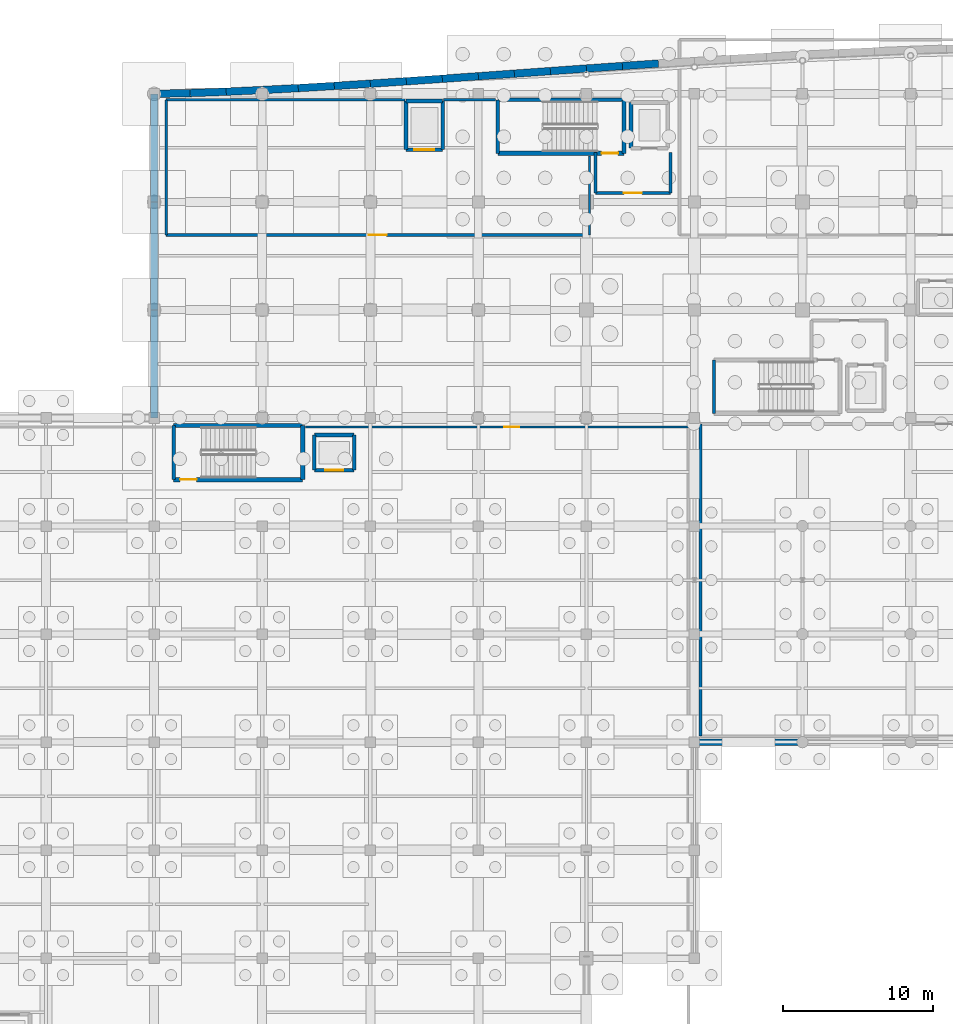
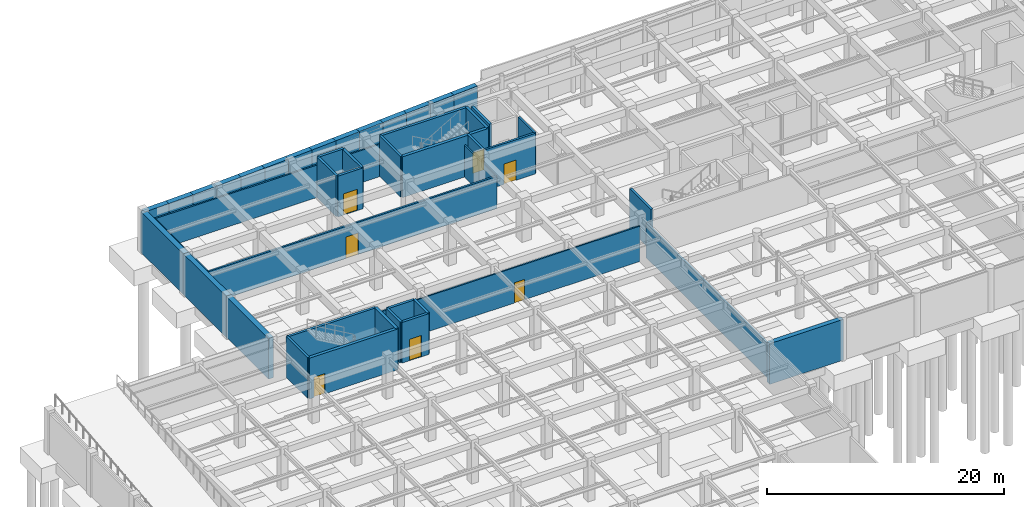
# One storey, part 36 of 48: 46 walls, 7 doors, 7 openings.
"""IFC4 building model written with IfcOpenShell, lengths in metres."""

from ifc_helpers import new_model, si_unit, direction, frame, frame_2d, origin, place, context, subcontext, project, spatial, rectangle, extrude, material, layer, layer_set, type_object, element, fill, save


model = new_model("IFC4")

# Units and contexts
model_context = context("Model", 3, precision=1e-05, world=origin(), true_north=direction((0.0, 1.0)))
body_context = subcontext(model_context, "Body", "Model", "MODEL_VIEW")
ifc_project = project(units=[si_unit("LENGTHUNIT", "METRE"), si_unit("AREAUNIT", "SQUARE_METRE"), si_unit("VOLUMEUNIT", "CUBIC_METRE"), si_unit("PLANEANGLEUNIT", "RADIAN"), si_unit("MASSUNIT", "GRAM", prefix="KILO")], contexts=[model_context])

# Site, building, storey
site_placement = place(None, origin())
site = spatial("IfcSite", under=ifc_project, at=site_placement, CompositionType="ELEMENT")
building_placement = place(site_placement, origin())
building = spatial("IfcBuilding", under=site, at=building_placement, Name="Carrowvane Square Congress Hotel", CompositionType="ELEMENT")
storey_placement = place(building_placement, frame((0.0, 0.0, -4.5)))
storey = spatial("IfcBuildingStorey", under=building, at=storey_placement, Name="B01", CompositionType="ELEMENT", Elevation=-4.5)

# Walls
ifc_material_1 = material(Name="Acoustic gypsum board", Category="gypsum")
ifc_layer_1 = layer(ifc_material_1, 0.155029296875)
ifc_layer_set_1 = layer_set([ifc_layer_1], Name="Acoustic gypsum board")
wall_type_1 = type_object("IfcWallType", Name="WL-FIR-155", PredefinedType="PARTITIONING", material=ifc_layer_set_1)
wall_1_placement = place(storey_placement, frame((34.0, 113.0, 0.0), z_axis=(0.0, 0.0, 1.0), x_axis=(1.0, 0.0, 0.0)))
element("IfcWall", 1, at=wall_1_placement, inside=storey, type_object=wall_type_1, Name="B01 Staff Changing and Locker Suite partition", PredefinedType="PARTITIONING", context=body_context, shape_type="SweptSolid", body=[
    extrude(rectangle(XDim=15.919189453125, YDim=0.155029296875, at=frame_2d((7.95947265625, 0.0))), origin(), (0.0, 0.0, 1.0), 3.3349609375),
])
ifc_material_2 = material(Name="Acoustic gypsum board", Category="gypsum")
ifc_layer_2 = layer(ifc_material_2, 0.169921875)
ifc_layer_set_2 = layer_set([ifc_layer_2], Name="Acoustic gypsum board")
wall_type_2 = type_object("IfcWallType", Name="WL-FIR-170", PredefinedType="PARTITIONING", material=ifc_layer_set_2)
wall_2_placement = place(storey_placement, frame((34.0, 104.0, 0.0), z_axis=(0.0, 0.0, 1.0), x_axis=(0.0, 1.0, 0.0)))
element("IfcWall", 2, at=wall_2_placement, inside=storey, type_object=wall_type_2, Name="B01 Staff Changing and Locker Suite partition", PredefinedType="PARTITIONING", context=body_context, shape_type="SweptSolid", body=[
    extrude(rectangle(XDim=9.0, YDim=0.169921875, at=frame_2d((4.5, 0.0))), origin(), (0.0, 0.0, 1.0), 3.43505859375),
])
ifc_material_3 = material(Name="Acoustic gypsum board", Category="gypsum")
ifc_layer_3 = layer(ifc_material_3, 0.18505859375)
ifc_layer_set_3 = layer_set([ifc_layer_3], Name="Acoustic gypsum board")
wall_type_3 = type_object("IfcWallType", Name="WL-FIR-185", PredefinedType="PARTITIONING", material=ifc_layer_set_3)
wall_3_placement = place(storey_placement, frame((69.60009765625, 70.60009765625, 0.0), z_axis=(0.0, 0.0, 1.0), x_axis=(0.0, 1.0, 0.0)))
element("IfcWall", 3, at=wall_3_placement, inside=storey, type_object=wall_type_3, Name="B01 Secure Delegate and Staff Cycle Store partition", PredefinedType="PARTITIONING", context=body_context, shape_type="SweptSolid", body=[
    extrude(rectangle(XDim=20.7998046875, YDim=0.18505859375, at=frame_2d((10.39990234375, 0.0))), origin(), (0.0, 0.0, 1.0), 3.534912109375),
])

# Wall, opening, door
wall_4_placement = place(storey_placement, frame((62.199951171875, 104.0, 0.0), z_axis=(0.0, 0.0, 1.0), x_axis=(-1.0, 0.0, 0.0)))
wall_4 = element("IfcWall", 4, at=wall_4_placement, inside=storey, type_object=wall_type_3, Name="B01 Staff Changing and Locker Suite partition", PredefinedType="PARTITIONING", context=body_context, shape_type="SweptSolid", body=[
    extrude(rectangle(XDim=28.199951171875, YDim=0.18505859375, at=frame_2d((14.10009765625, 0.0))), origin(), (0.0, 0.0, 1.0), 3.3349609375),
])
opening_1_placement = place(wall_4_placement, frame((13.510009765625, 0.0, 0.0)))
opening_1 = element("IfcOpeningElement", 5, at=opening_1_placement, cuts=wall_4, Name="Opening ID-23", PredefinedType="OPENING", context=body_context, shape_type="SweptSolid", body=[
    extrude(rectangle(XDim=1.179931640625, YDim=2.219970703125, at=frame_2d((0.58984375, 1.10986328125))), frame((0.0, 0.1025390625, 0.0), z_axis=(0.0, -1.0, 0.0), x_axis=(1.0, 0.0, 0.0)), (0.0, 0.0, 1.0), 0.205078125),
])
ifc_material_4 = material(Name="European oak timber", Category="wood")
door_type_1 = type_object("IfcDoorType", Name="DR-INT-1180x2220", OperationType="NOTDEFINED", PredefinedType="DOOR", material=ifc_material_4)
door_1_placement = place(opening_1_placement, origin())
door_1 = element("IfcDoor", 6, at=door_1_placement, inside=storey, type_object=door_type_1, Name="B01 Staff Changing and Locker Suite entrance door", OperationType="SINGLE_SWING_LEFT", OverallHeight=2.219970703125, OverallWidth=1.179931640625, PredefinedType="DOOR", context=body_context, shape_type="SweptSolid", body=[
    extrude(rectangle(XDim=1.179931640625, YDim=2.219970703125, at=frame_2d((0.58984375, 1.10986328125))), frame((0.0, 0.02490234375, 0.0), z_axis=(0.0, -1.0, 0.0), x_axis=(1.0, 0.0, 0.0)), (0.0, 0.0, 1.0), 0.050048828125),
])
fill(opening_1, door_1)

ifc_material_5 = material(Name="Acoustic gypsum board", Category="gypsum")
ifc_layer_4 = layer(ifc_material_5, 0.205078125)
ifc_layer_set_4 = layer_set([ifc_layer_4], Name="Acoustic gypsum board")
wall_type_4 = type_object("IfcWallType", Name="WL-FIR-205", PredefinedType="PARTITIONING", material=ifc_layer_set_4)
wall_5_placement = place(storey_placement, frame((62.60009765625, 106.800048828125, 0.0), z_axis=(0.0, 0.0, 1.0), x_axis=(1.0, 0.0, 0.0)))
wall_5 = element("IfcWall", 7, at=wall_5_placement, inside=storey, type_object=wall_type_4, Name="B01 Firefighting Lobby C1 wall south", PredefinedType="PARTITIONING", context=body_context, shape_type="SweptSolid", body=[
    extrude(rectangle(XDim=5.0, YDim=0.205078125, at=frame_2d((2.5, 0.0))), origin(), (0.0, 0.0, 1.0), 4.199951171875),
])
opening_2_placement = place(wall_5_placement, frame((1.89990234375, 0.0, 0.0)))
opening_2 = element("IfcOpeningElement", 8, at=opening_2_placement, cuts=wall_5, Name="Opening FD-02", PredefinedType="OPENING", context=body_context, shape_type="SweptSolid", body=[
    extrude(rectangle(XDim=1.199951171875, YDim=2.10009765625, at=frame_2d((0.60009765625, 1.050048828125))), frame((0.0, 0.112548828125, 0.0), z_axis=(0.0, -1.0, 0.0), x_axis=(1.0, 0.0, 0.0)), (0.0, 0.0, 1.0), 0.22509765625),
])
ifc_material_6 = material(Name="European oak timber", Category="wood")
door_type_2 = type_object("IfcDoorType", Name="DR-FD60-1200x2100", OperationType="NOTDEFINED", PredefinedType="DOOR", material=ifc_material_6)
door_2_placement = place(opening_2_placement, origin())
door_2 = element("IfcDoor", 9, at=door_2_placement, inside=storey, type_object=door_type_2, Name="B01 Firefighting Lobby C1 entrance door", OperationType="SINGLE_SWING_RIGHT", OverallHeight=2.10009765625, OverallWidth=1.199951171875, PredefinedType="DOOR", context=body_context, shape_type="SweptSolid", body=[
    extrude(rectangle(XDim=1.199951171875, YDim=2.10009765625, at=frame_2d((0.60009765625, 1.050048828125))), frame((0.0, 0.02490234375, 0.0), z_axis=(0.0, -1.0, 0.0), x_axis=(1.0, 0.0, 0.0)), (0.0, 0.0, 1.0), 0.050048828125),
])
fill(opening_2, door_2)

# Walls
for number, where, z_axis, x_axis, name in (
    (10, (67.60009765625, 106.800048828125, 0.0), (0.0, 0.0, 1.0), (0.0, 1.0, 0.0), "B01 Firefighting Lobby C1 wall east"),
    (11, (62.60009765625, 109.5, 0.0), (0.0, 0.0, 1.0), (0.0, -1.0, 0.0), "B01 Firefighting Lobby C1 wall west"),
):
    element("IfcWall", number, at=place(storey_placement, frame(where, z_axis=z_axis, x_axis=x_axis)), inside=storey, type_object=wall_type_4, Name=name, PredefinedType="PARTITIONING", context=body_context, shape_type="SweptSolid", body=[
        extrude(rectangle(XDim=2.699951171875, YDim=0.205078125, at=frame_2d((1.35009765625, 0.0))), origin(), (0.0, 0.0, 1.0), 4.199951171875),
    ])

# Wall, opening, door
ifc_material_7 = material(Name="Acoustic gypsum board", Category="gypsum")
ifc_layer_5 = layer(ifc_material_7, 0.137939453125)
ifc_layer_set_5 = layer_set([ifc_layer_5], Name="Acoustic gypsum board")
wall_type_5 = type_object("IfcWallType", Name="WL-PRT-138", PredefinedType="PARTITIONING", material=ifc_layer_set_5)
wall_6_placement = place(storey_placement, frame((43.27001953125, 91.199951171875, 0.0), z_axis=(0.0, 0.0, 1.0), x_axis=(1.0, 0.0, 0.0)))
wall_6 = element("IfcWall", 12, at=wall_6_placement, inside=storey, type_object=wall_type_5, Name="B01 Underground Car Park Loop and Bays partition", PredefinedType="PARTITIONING", context=body_context, shape_type="SweptSolid", body=[
    extrude(rectangle(XDim=25.530029296875, YDim=0.137939453125, at=frame_2d((12.76513671875, 0.0))), origin(), (0.0, 0.0, 1.0), 3.648193359375),
])
opening_3_placement = place(wall_6_placement, frame((13.264892578125, 0.0, 0.0)))
opening_3 = element("IfcOpeningElement", 13, at=opening_3_placement, cuts=wall_6, Name="Opening ID-06", PredefinedType="OPENING", context=body_context, shape_type="SweptSolid", body=[
    extrude(rectangle(XDim=1.0, YDim=2.10009765625, at=frame_2d((0.5, 1.050048828125))), frame((0.0, 0.078857421875, 0.0), z_axis=(0.0, -1.0, 0.0), x_axis=(1.0, 0.0, 0.0)), (0.0, 0.0, 1.0), 0.157958984375),
])
ifc_material_8 = material(Name="European oak timber", Category="wood")
door_type_3 = type_object("IfcDoorType", Name="DR-INT-1000x2100", OperationType="NOTDEFINED", PredefinedType="DOOR", material=ifc_material_8)
door_3_placement = place(opening_3_placement, origin())
door_3 = element("IfcDoor", 14, at=door_3_placement, inside=storey, type_object=door_type_3, Name="B01 Underground Car Park Loop and Bays entrance door", OperationType="SINGLE_SWING_RIGHT", OverallHeight=2.10009765625, OverallWidth=1.0, PredefinedType="DOOR", context=body_context, shape_type="SweptSolid", body=[
    extrude(rectangle(XDim=1.0, YDim=2.10009765625, at=frame_2d((0.5, 1.050048828125))), frame((0.0, 0.02490234375, 0.0), z_axis=(0.0, -1.0, 0.0), x_axis=(1.0, 0.0, 0.0)), (0.0, 0.0, 1.0), 0.050048828125),
])
fill(opening_3, door_3)

# Walls
wall_7_placement = place(storey_placement, frame((62.199951171875, 109.27001953125, 0.0), z_axis=(0.0, 0.0, 1.0), x_axis=(0.0, -1.0, 0.0)))
element("IfcWall", 15, at=wall_7_placement, inside=storey, type_object=wall_type_5, Name="B01 Staff Changing and Locker Suite partition", PredefinedType="PARTITIONING", context=body_context, shape_type="SweptSolid", body=[
    extrude(rectangle(XDim=5.27001953125, YDim=0.137939453125, at=frame_2d((2.635009765625, 0.0))), origin(), (0.0, 0.0, 1.0), 3.3349609375),
])
ifc_material_9 = material(Name="Acoustic gypsum board", Category="gypsum")
ifc_layer_6 = layer(ifc_material_9, 0.14794921875)
ifc_layer_set_6 = layer_set([ifc_layer_6], Name="Acoustic gypsum board")
wall_type_6 = type_object("IfcWallType", Name="WL-PRT-148", PredefinedType="PARTITIONING", material=ifc_layer_set_6)
wall_8_placement = place(storey_placement, frame((52.48095703125, 113.0, 0.0), z_axis=(0.0, 0.0, 1.0), x_axis=(1.0, 0.0, 0.0)))
element("IfcWall", 16, at=wall_8_placement, inside=storey, type_object=wall_type_6, Name="B01 Staff Changing and Locker Suite partition", PredefinedType="PARTITIONING", context=body_context, shape_type="SweptSolid", body=[
    extrude(rectangle(XDim=3.468505859375, YDim=0.14794921875, at=frame_2d((1.734375, 0.0))), origin(), (0.0, 0.0, 1.0), 3.3349609375),
])
ifc_material_10 = material(Name="Concrete C35/45", Category="concrete")
ifc_layer_7 = layer(ifc_material_10, 0.449951171875)
ifc_layer_set_7 = layer_set([ifc_layer_7], Name="Concrete C35/45")
wall_type_7 = type_object("IfcWallType", Name="WL-RET-450", PredefinedType="SOLIDWALL", material=ifc_layer_set_7)
wall_9_placement = place(storey_placement, frame((76.39990234375, 70.199951171875, 0.0), z_axis=(0.0, 0.0, 1.0), x_axis=(-1.0, 0.0, 0.0)))
element("IfcWall", 17, at=wall_9_placement, inside=storey, type_object=wall_type_7, Name="B01 perimeter retaining wall 115", PredefinedType="SOLIDWALL", context=body_context, shape_type="SweptSolid", body=[
    extrude(rectangle(XDim=7.199951171875, YDim=0.449951171875, at=frame_2d((3.60009765625, 0.0))), origin(), (0.0, 0.0, 1.0), 4.199951171875),
])
ifc_material_11 = material(Name="Concrete C35/45", Category="concrete")
ifc_layer_8 = layer(ifc_material_11, 0.5)
ifc_layer_set_8 = layer_set([ifc_layer_8], Name="Concrete C35/45")
wall_type_8 = type_object("IfcWallType", Name="WL-RET-500", PredefinedType="SOLIDWALL", material=ifc_layer_set_8)
for number, where, z_axis, x_axis, name in (
    (18, (33.199951171875, 91.800048828125, 0.0), (0.0, 0.0, 1.0), (0.0, 1.0, 0.0), "B01 perimeter retaining wall 16"),
    (19, (33.199951171875, 99.0, 0.0), (0.0, 0.0, 1.0), (0.0, 1.0, 0.0), "B01 perimeter retaining wall 17"),
    (20, (33.199951171875, 106.199951171875, 0.0), (0.0, 0.0, 1.0), (0.0, 1.0, 0.0), "B01 perimeter retaining wall 18"),
):
    element("IfcWall", number, at=place(storey_placement, frame(where, z_axis=z_axis, x_axis=x_axis)), inside=storey, type_object=wall_type_8, Name=name, PredefinedType="SOLIDWALL", context=body_context, shape_type="SweptSolid", body=[
        extrude(rectangle(XDim=7.199951171875, YDim=0.5, at=frame_2d((3.60009765625, 0.0))), origin(), (0.0, 0.0, 1.0), 4.199951171875),
    ])
wall_10_placement = place(storey_placement, frame((33.199951171875, 113.39990234375, 0.0), z_axis=(0.0, 0.0, 1.0), x_axis=(0.999767568547, 0.021559426766, 0.0)))
element("IfcWall", 21, at=wall_10_placement, inside=storey, type_object=wall_type_8, Name="B01 perimeter retaining wall 19", PredefinedType="SOLIDWALL", context=body_context, shape_type="SweptSolid", body=[
    extrude(rectangle(XDim=2.400634765625, YDim=0.5, at=frame_2d((1.2001953125, 0.0))), origin(), (0.0, 0.0, 1.0), 4.199951171875),
])
wall_11_placement = place(storey_placement, frame((35.60009765625, 113.45166015625, 0.0), z_axis=(0.0, 0.0, 1.0), x_axis=(0.99930757318, 0.037207179225, 0.0)))
element("IfcWall", 22, at=wall_11_placement, inside=storey, type_object=wall_type_8, Name="B01 perimeter retaining wall 20", PredefinedType="SOLIDWALL", context=body_context, shape_type="SweptSolid", body=[
    extrude(rectangle(XDim=2.401611328125, YDim=0.5, at=frame_2d((1.20068359375, 0.0))), origin(), (0.0, 0.0, 1.0), 4.199951171875),
])
wall_12_placement = place(storey_placement, frame((38.0, 113.541015625, 0.0), z_axis=(0.0, 0.0, 1.0), x_axis=(0.998916353717, 0.046541575789, 0.0)))
element("IfcWall", 23, at=wall_12_placement, inside=storey, type_object=wall_type_8, Name="B01 perimeter retaining wall 21", PredefinedType="SOLIDWALL", context=body_context, shape_type="SweptSolid", body=[
    extrude(rectangle(XDim=2.402587890625, YDim=0.5, at=frame_2d((1.201171875, 0.0))), origin(), (0.0, 0.0, 1.0), 4.199951171875),
])
wall_13_placement = place(storey_placement, frame((40.39990234375, 113.65283203125, 0.0), z_axis=(0.0, 0.0, 1.0), x_axis=(0.998571714984, 0.053427802063, 0.0)))
element("IfcWall", 24, at=wall_13_placement, inside=storey, type_object=wall_type_8, Name="B01 perimeter retaining wall 22", PredefinedType="SOLIDWALL", context=body_context, shape_type="SweptSolid", body=[
    extrude(rectangle(XDim=2.403564453125, YDim=0.5, at=frame_2d((1.20166015625, 0.0))), origin(), (0.0, 0.0, 1.0), 4.199951171875),
])
wall_14_placement = place(storey_placement, frame((42.800048828125, 113.78125, 0.0), z_axis=(0.0, 0.0, 1.0), x_axis=(0.998257875509, 0.059001813395, 0.0)))
element("IfcWall", 25, at=wall_14_placement, inside=storey, type_object=wall_type_8, Name="B01 perimeter retaining wall 23", PredefinedType="SOLIDWALL", context=body_context, shape_type="SweptSolid", body=[
    extrude(rectangle(XDim=2.404052734375, YDim=0.5, at=frame_2d((1.2021484375, 0.0))), origin(), (0.0, 0.0, 1.0), 4.199951171875),
])
wall_15_placement = place(storey_placement, frame((45.199951171875, 113.923095703125, 0.0), z_axis=(0.0, 0.0, 1.0), x_axis=(0.997991675206, 0.063345214661, 0.0)))
element("IfcWall", 26, at=wall_15_placement, inside=storey, type_object=wall_type_8, Name="B01 perimeter retaining wall 24", PredefinedType="SOLIDWALL", context=body_context, shape_type="SweptSolid", body=[
    extrude(rectangle(XDim=2.405029296875, YDim=0.5, at=frame_2d((1.20263671875, 0.0))), origin(), (0.0, 0.0, 1.0), 4.199951171875),
])
wall_16_placement = place(storey_placement, frame((47.60009765625, 114.075439453125, 0.0), z_axis=(0.0, 0.0, 1.0), x_axis=(0.997780664271, 0.066586380037, 0.0)))
element("IfcWall", 27, at=wall_16_placement, inside=storey, type_object=wall_type_8, Name="B01 perimeter retaining wall 25", PredefinedType="SOLIDWALL", context=body_context, shape_type="SweptSolid", body=[
    extrude(rectangle(XDim=2.4052734375, YDim=0.5, at=frame_2d((1.20263671875, 0.0))), origin(), (0.0, 0.0, 1.0), 4.199951171875),
])
wall_17_placement = place(storey_placement, frame((50.0, 114.235595703125, 0.0), z_axis=(0.0, 0.0, 1.0), x_axis=(0.997622876154, 0.068910064385, 0.0)))
element("IfcWall", 28, at=wall_17_placement, inside=storey, type_object=wall_type_8, Name="B01 perimeter retaining wall 26", PredefinedType="SOLIDWALL", context=body_context, shape_type="SweptSolid", body=[
    extrude(rectangle(XDim=2.405517578125, YDim=0.5, at=frame_2d((1.20263671875, 0.0))), origin(), (0.0, 0.0, 1.0), 4.199951171875),
])
wall_18_placement = place(storey_placement, frame((52.39990234375, 114.4013671875, 0.0), z_axis=(0.0, 0.0, 1.0), x_axis=(0.997503312013, 0.070619703505, 0.0)))
element("IfcWall", 29, at=wall_18_placement, inside=storey, type_object=wall_type_8, Name="B01 perimeter retaining wall 27", PredefinedType="SOLIDWALL", context=body_context, shape_type="SweptSolid", body=[
    extrude(rectangle(XDim=2.40625, YDim=0.5, at=frame_2d((1.203125, 0.0))), origin(), (0.0, 0.0, 1.0), 4.199951171875),
])
wall_19_placement = place(storey_placement, frame((54.800048828125, 114.5712890625, 0.0), z_axis=(0.0, 0.0, 1.0), x_axis=(0.997445290295, 0.071434535541, 0.0)))
element("IfcWall", 30, at=wall_19_placement, inside=storey, type_object=wall_type_8, Name="B01 perimeter retaining wall 28", PredefinedType="SOLIDWALL", context=body_context, shape_type="SweptSolid", body=[
    extrude(rectangle(XDim=2.406005859375, YDim=0.5, at=frame_2d((1.203125, 0.0))), origin(), (0.0, 0.0, 1.0), 4.199951171875),
])
wall_20_placement = place(storey_placement, frame((57.199951171875, 114.7431640625, 0.0), z_axis=(0.0, 0.0, 1.0), x_axis=(0.997438574499, 0.071528246874, 0.0)))
element("IfcWall", 31, at=wall_20_placement, inside=storey, type_object=wall_type_8, Name="B01 perimeter retaining wall 29", PredefinedType="SOLIDWALL", context=body_context, shape_type="SweptSolid", body=[
    extrude(rectangle(XDim=2.40625, YDim=0.5, at=frame_2d((1.203125, 0.0))), origin(), (0.0, 0.0, 1.0), 4.199951171875),
])
wall_21_placement = place(storey_placement, frame((59.60009765625, 114.915283203125, 0.0), z_axis=(0.0, 0.0, 1.0), x_axis=(0.997481313423, 0.070929749551, 0.0)))
element("IfcWall", 32, at=wall_21_placement, inside=storey, type_object=wall_type_8, Name="B01 perimeter retaining wall 30", PredefinedType="SOLIDWALL", context=body_context, shape_type="SweptSolid", body=[
    extrude(rectangle(XDim=2.406005859375, YDim=0.5, at=frame_2d((1.203125, 0.0))), origin(), (0.0, 0.0, 1.0), 4.199951171875),
])
for number, where, z_axis, x_axis, name in (
    (33, (62.0, 115.0859375, 0.0), (0.0, 0.0, 1.0), (0.997566736958, 0.069718041535, 0.0), "B01 perimeter retaining wall 31"),
    (34, (64.39990234375, 115.253662109375, 0.0), (0.0, 0.0, 1.0), (0.997692606374, 0.067893027532, 0.0), "B01 perimeter retaining wall 32"),
):
    element("IfcWall", number, at=place(storey_placement, frame(where, z_axis=z_axis, x_axis=x_axis)), inside=storey, type_object=wall_type_8, Name=name, PredefinedType="SOLIDWALL", context=body_context, shape_type="SweptSolid", body=[
        extrude(rectangle(XDim=2.40576171875, YDim=0.5, at=frame_2d((1.202880859375, 0.0))), origin(), (0.0, 0.0, 1.0), 4.199951171875),
    ])
ifc_material_12 = material(Name="Concrete C40/50", Category="concrete")
ifc_layer_9 = layer(ifc_material_12, 0.22509765625)
ifc_layer_set_9 = layer_set([ifc_layer_9], Name="Concrete C40/50")
wall_type_9 = type_object("IfcWallType", Name="WL-SHR-225", PredefinedType="SHEAR", material=ifc_layer_set_9)
wall_22_placement = place(storey_placement, frame((56.10009765625, 113.0, 0.0), z_axis=(0.0, 0.0, 1.0), x_axis=(0.0, -1.0, 0.0)))
element("IfcWall", 35, at=wall_22_placement, inside=storey, type_object=wall_type_9, Name="B01 ST1 core wall west", PredefinedType="SHEAR", context=body_context, shape_type="SweptSolid", body=[
    extrude(rectangle(XDim=3.56005859375, YDim=0.22509765625, at=frame_2d((1.780029296875, 0.0))), origin(), (0.0, 0.0, 1.0), 4.199951171875),
])
wall_23_placement = place(storey_placement, frame((70.5, 95.659912109375, 0.0), z_axis=(0.0, 0.0, 1.0), x_axis=(0.0, -1.0, 0.0)))
element("IfcWall", 36, at=wall_23_placement, inside=storey, type_object=wall_type_9, Name="B01 ST2 core wall west", PredefinedType="SHEAR", context=body_context, shape_type="SweptSolid", body=[
    extrude(rectangle(XDim=3.559814453125, YDim=0.22509765625, at=frame_2d((1.77978515625, 0.0))), origin(), (0.0, 0.0, 1.0), 4.199951171875),
])
wall_24_placement = place(storey_placement, frame((34.5, 91.300048828125, 0.0), z_axis=(0.0, 0.0, 1.0), x_axis=(0.0, -1.0, 0.0)))
element("IfcWall", 37, at=wall_24_placement, inside=storey, type_object=wall_type_9, Name="B01 ST5 core wall west", PredefinedType="SHEAR", context=body_context, shape_type="SweptSolid", body=[
    extrude(rectangle(XDim=3.60009765625, YDim=0.22509765625, at=frame_2d((1.800048828125, 0.0))), origin(), (0.0, 0.0, 1.0), 4.199951171875),
])
ifc_material_13 = material(Name="Concrete C40/50", Category="concrete")
ifc_layer_10 = layer(ifc_material_13, 0.25)
ifc_layer_set_10 = layer_set([ifc_layer_10], Name="Concrete C40/50")
wall_type_10 = type_object("IfcWallType", Name="WL-SHR-250", PredefinedType="SHEAR", material=ifc_layer_set_10)
wall_25_placement = place(storey_placement, frame((64.5, 113.0, 0.0), z_axis=(0.0, 0.0, 1.0), x_axis=(-1.0, 0.0, 0.0)))
element("IfcWall", 38, at=wall_25_placement, inside=storey, type_object=wall_type_10, Name="B01 ST1 core wall north", PredefinedType="SHEAR", context=body_context, shape_type="SweptSolid", body=[
    extrude(rectangle(XDim=8.39990234375, YDim=0.25, at=frame_2d((4.199951171875, 0.0))), origin(), (0.0, 0.0, 1.0), 4.199951171875),
])
wall_26_placement = place(storey_placement, frame((43.10009765625, 91.300048828125, 0.0), z_axis=(0.0, 0.0, 1.0), x_axis=(-1.0, 0.0, 0.0)))
element("IfcWall", 39, at=wall_26_placement, inside=storey, type_object=wall_type_10, Name="B01 ST5 core wall north", PredefinedType="SHEAR", context=body_context, shape_type="SweptSolid", body=[
    extrude(rectangle(XDim=8.60009765625, YDim=0.25, at=frame_2d((4.300048828125, 0.0))), origin(), (0.0, 0.0, 1.0), 4.199951171875),
])
wall_27_placement = place(storey_placement, frame((64.97509765625, 112.824951171875, 0.0), z_axis=(0.0, 0.0, 1.0), x_axis=(0.0, -1.0, 0.0)))
element("IfcWall", 40, at=wall_27_placement, inside=storey, type_object=wall_type_10, Name="B01 FFL-1 shaft wall west", PredefinedType="SHEAR", context=body_context, shape_type="SweptSolid", body=[
    extrude(rectangle(XDim=3.050048828125, YDim=0.25, at=frame_2d((1.52490234375, 0.0))), origin(), (0.0, 0.0, 1.0), 4.199951171875),
])

# Wall, opening, door
wall_28_placement = place(storey_placement, frame((43.875, 88.324951171875, 0.0), z_axis=(0.0, 0.0, 1.0), x_axis=(1.0, 0.0, 0.0)))
wall_28 = element("IfcWall", 41, at=wall_28_placement, inside=storey, type_object=wall_type_10, Name="B01 CL-2 shaft wall south", PredefinedType="SHEAR", context=body_context, shape_type="SweptSolid", body=[
    extrude(rectangle(XDim=2.64990234375, YDim=0.25, at=frame_2d((1.324951171875, 0.0))), origin(), (0.0, 0.0, 1.0), 4.199951171875),
])
opening_4_placement = place(wall_28_placement, frame((0.72509765625, 0.0, 0.0)))
opening_4 = element("IfcOpeningElement", 42, at=opening_4_placement, cuts=wall_28, Name="Opening LD-CL-2", PredefinedType="OPENING", context=body_context, shape_type="SweptSolid", body=[
    extrude(rectangle(XDim=1.199951171875, YDim=2.199951171875, at=frame_2d((0.60009765625, 1.10009765625))), frame((0.0, 0.135009765625, 0.0), z_axis=(0.0, -1.0, 0.0), x_axis=(1.0, 0.0, 0.0)), (0.0, 0.0, 1.0), 0.27001953125),
])
ifc_material_14 = material(Name="Stainless steel 316", Category="steel")
door_type_4 = type_object("IfcDoorType", Name="DR-LD-1200x2200", OperationType="DOUBLE_DOOR_SLIDING", PredefinedType="DOOR", material=ifc_material_14)
door_4_placement = place(opening_4_placement, origin())
door_4 = element("IfcDoor", 43, at=door_4_placement, inside=storey, type_object=door_type_4, Name="B01 CL-2 sliding lift landing door", OperationType="DOUBLE_DOOR_SLIDING", OverallHeight=2.199951171875, OverallWidth=1.199951171875, PredefinedType="DOOR", context=body_context, shape_type="SweptSolid", body=[
    extrude(rectangle(XDim=1.199951171875, YDim=2.199951171875, at=frame_2d((0.60009765625, 1.10009765625))), frame((0.0, 0.02490234375, 0.0), z_axis=(0.0, -1.0, 0.0), x_axis=(1.0, 0.0, 0.0)), (0.0, 0.0, 1.0), 0.050048828125),
])
fill(opening_4, door_4)

# Walls
wall_29_placement = place(storey_placement, frame((46.52490234375, 88.324951171875, 0.0), z_axis=(0.0, 0.0, 1.0), x_axis=(0.0, 1.0, 0.0)))
element("IfcWall", 44, at=wall_29_placement, inside=storey, type_object=wall_type_10, Name="B01 CL-2 shaft wall east", PredefinedType="SHEAR", context=body_context, shape_type="SweptSolid", body=[
    extrude(rectangle(XDim=2.35009765625, YDim=0.25, at=frame_2d((1.175048828125, 0.0))), origin(), (0.0, 0.0, 1.0), 4.199951171875),
])
wall_30_placement = place(storey_placement, frame((46.52490234375, 90.675048828125, 0.0), z_axis=(0.0, 0.0, 1.0), x_axis=(-1.0, 0.0, 0.0)))
element("IfcWall", 45, at=wall_30_placement, inside=storey, type_object=wall_type_10, Name="B01 CL-2 shaft wall north", PredefinedType="SHEAR", context=body_context, shape_type="SweptSolid", body=[
    extrude(rectangle(XDim=2.64990234375, YDim=0.25, at=frame_2d((1.324951171875, 0.0))), origin(), (0.0, 0.0, 1.0), 4.199951171875),
])
wall_31_placement = place(storey_placement, frame((43.875, 90.675048828125, 0.0), z_axis=(0.0, 0.0, 1.0), x_axis=(0.0, -1.0, 0.0)))
element("IfcWall", 46, at=wall_31_placement, inside=storey, type_object=wall_type_10, Name="B01 CL-2 shaft wall west", PredefinedType="SHEAR", context=body_context, shape_type="SweptSolid", body=[
    extrude(rectangle(XDim=2.35009765625, YDim=0.25, at=frame_2d((1.175048828125, 0.0))), origin(), (0.0, 0.0, 1.0), 4.199951171875),
])

# Wall, opening, door
wall_32_placement = place(storey_placement, frame((49.97509765625, 109.675048828125, 0.0), z_axis=(0.0, 0.0, 1.0), x_axis=(1.0, 0.0, 0.0)))
wall_32 = element("IfcWall", 47, at=wall_32_placement, inside=storey, type_object=wall_type_10, Name="B01 SL-1 shaft wall south", PredefinedType="SHEAR", context=body_context, shape_type="SweptSolid", body=[
    extrude(rectangle(XDim=2.449951171875, YDim=0.25, at=frame_2d((1.22509765625, 0.0))), origin(), (0.0, 0.0, 1.0), 4.199951171875),
])
opening_5_placement = place(wall_32_placement, frame((0.550048828125, 0.0, 0.0)))
opening_5 = element("IfcOpeningElement", 48, at=opening_5_placement, cuts=wall_32, Name="Opening LD-SL-1", PredefinedType="OPENING", context=body_context, shape_type="SweptSolid", body=[
    extrude(rectangle(XDim=1.35009765625, YDim=2.199951171875, at=frame_2d((0.675048828125, 1.10009765625))), frame((0.0, 0.135009765625, 0.0), z_axis=(0.0, -1.0, 0.0), x_axis=(1.0, 0.0, 0.0)), (0.0, 0.0, 1.0), 0.27001953125),
])
ifc_material_15 = material(Name="Stainless steel 316", Category="steel")
door_type_5 = type_object("IfcDoorType", Name="DR-LD-1350x2200", OperationType="DOUBLE_DOOR_SLIDING", PredefinedType="DOOR", material=ifc_material_15)
door_5_placement = place(opening_5_placement, origin())
door_5 = element("IfcDoor", 49, at=door_5_placement, inside=storey, type_object=door_type_5, Name="B01 SL-1 sliding lift landing door", OperationType="DOUBLE_DOOR_SLIDING", OverallHeight=2.199951171875, OverallWidth=1.35009765625, PredefinedType="DOOR", context=body_context, shape_type="SweptSolid", body=[
    extrude(rectangle(XDim=1.35009765625, YDim=2.199951171875, at=frame_2d((0.675048828125, 1.10009765625))), frame((0.0, 0.02490234375, 0.0), z_axis=(0.0, -1.0, 0.0), x_axis=(1.0, 0.0, 0.0)), (0.0, 0.0, 1.0), 0.050048828125),
])
fill(opening_5, door_5)

# Walls
wall_33_placement = place(storey_placement, frame((52.425048828125, 109.675048828125, 0.0), z_axis=(0.0, 0.0, 1.0), x_axis=(0.0, 1.0, 0.0)))
element("IfcWall", 50, at=wall_33_placement, inside=storey, type_object=wall_type_10, Name="B01 SL-1 shaft wall east", PredefinedType="SHEAR", context=body_context, shape_type="SweptSolid", body=[
    extrude(rectangle(XDim=3.25, YDim=0.25, at=frame_2d((1.625, 0.0))), origin(), (0.0, 0.0, 1.0), 4.199951171875),
])
wall_34_placement = place(storey_placement, frame((52.425048828125, 112.925048828125, 0.0), z_axis=(0.0, 0.0, 1.0), x_axis=(-1.0, 0.0, 0.0)))
element("IfcWall", 51, at=wall_34_placement, inside=storey, type_object=wall_type_10, Name="B01 SL-1 shaft wall north", PredefinedType="SHEAR", context=body_context, shape_type="SweptSolid", body=[
    extrude(rectangle(XDim=2.449951171875, YDim=0.25, at=frame_2d((1.22509765625, 0.0))), origin(), (0.0, 0.0, 1.0), 4.199951171875),
])
wall_35_placement = place(storey_placement, frame((49.97509765625, 112.925048828125, 0.0), z_axis=(0.0, 0.0, 1.0), x_axis=(0.0, -1.0, 0.0)))
element("IfcWall", 52, at=wall_35_placement, inside=storey, type_object=wall_type_10, Name="B01 SL-1 shaft wall west", PredefinedType="SHEAR", context=body_context, shape_type="SweptSolid", body=[
    extrude(rectangle(XDim=3.25, YDim=0.25, at=frame_2d((1.625, 0.0))), origin(), (0.0, 0.0, 1.0), 4.199951171875),
])
ifc_material_16 = material(Name="Concrete C40/50", Category="concrete")
ifc_layer_11 = layer(ifc_material_16, 0.27490234375)
ifc_layer_set_11 = layer_set([ifc_layer_11], Name="Concrete C40/50")
wall_type_11 = type_object("IfcWallType", Name="WL-SHR-275", PredefinedType="SHEAR", material=ifc_layer_set_11)
wall_36_placement = place(storey_placement, frame((64.5, 109.43994140625, 0.0), z_axis=(0.0, 0.0, 1.0), x_axis=(0.0, 1.0, 0.0)))
element("IfcWall", 53, at=wall_36_placement, inside=storey, type_object=wall_type_11, Name="B01 ST1 core wall east", PredefinedType="SHEAR", context=body_context, shape_type="SweptSolid", body=[
    extrude(rectangle(XDim=3.56005859375, YDim=0.27490234375, at=frame_2d((1.780029296875, 0.0))), origin(), (0.0, 0.0, 1.0), 4.199951171875),
])
wall_37_placement = place(storey_placement, frame((43.10009765625, 87.699951171875, 0.0), z_axis=(0.0, 0.0, 1.0), x_axis=(0.0, 1.0, 0.0)))
element("IfcWall", 54, at=wall_37_placement, inside=storey, type_object=wall_type_11, Name="B01 ST5 core wall east", PredefinedType="SHEAR", context=body_context, shape_type="SweptSolid", body=[
    extrude(rectangle(XDim=3.60009765625, YDim=0.27490234375, at=frame_2d((1.800048828125, 0.0))), origin(), (0.0, 0.0, 1.0), 4.199951171875),
])

# Wall, opening, door
ifc_material_17 = material(Name="Concrete C40/50", Category="concrete")
ifc_layer_12 = layer(ifc_material_17, 0.300048828125)
ifc_layer_set_12 = layer_set([ifc_layer_12], Name="Concrete C40/50")
wall_type_12 = type_object("IfcWallType", Name="WL-SHR-300", PredefinedType="SHEAR", material=ifc_layer_set_12)
wall_38_placement = place(storey_placement, frame((56.10009765625, 109.43994140625, 0.0), z_axis=(0.0, 0.0, 1.0), x_axis=(1.0, 0.0, 0.0)))
wall_38 = element("IfcWall", 55, at=wall_38_placement, inside=storey, type_object=wall_type_12, Name="B01 ST1 core wall south", PredefinedType="SHEAR", context=body_context, shape_type="SweptSolid", body=[
    extrude(rectangle(XDim=8.39990234375, YDim=0.300048828125, at=frame_2d((4.199951171875, 0.0))), origin(), (0.0, 0.0, 1.0), 4.199951171875),
])
opening_6_placement = place(wall_38_placement, frame((6.909912109375, 0.0, 0.0)))
opening_6 = element("IfcOpeningElement", 56, at=opening_6_placement, cuts=wall_38, Name="Opening FD-01", PredefinedType="OPENING", context=body_context, shape_type="SweptSolid", body=[
    extrude(rectangle(XDim=1.10009765625, YDim=2.10009765625, at=frame_2d((0.550048828125, 1.050048828125))), frame((0.0, 0.159912109375, 0.0), z_axis=(0.0, -1.0, 0.0), x_axis=(1.0, 0.0, 0.0)), (0.0, 0.0, 1.0), 0.320068359375),
])
ifc_material_18 = material(Name="European oak timber", Category="wood")
door_type_6 = type_object("IfcDoorType", Name="DR-FD60-1100x2100", OperationType="NOTDEFINED", PredefinedType="DOOR", material=ifc_material_18)
door_6_placement = place(opening_6_placement, origin())
door_6 = element("IfcDoor", 57, at=door_6_placement, inside=storey, type_object=door_type_6, Name="B01 ST1 fire door", OperationType="SINGLE_SWING_LEFT", OverallHeight=2.10009765625, OverallWidth=1.10009765625, PredefinedType="DOOR", context=body_context, shape_type="SweptSolid", body=[
    extrude(rectangle(XDim=1.10009765625, YDim=2.10009765625, at=frame_2d((0.550048828125, 1.050048828125))), frame((0.0, 0.02490234375, 0.0), z_axis=(0.0, -1.0, 0.0), x_axis=(1.0, 0.0, 0.0)), (0.0, 0.0, 1.0), 0.050048828125),
])
fill(opening_6, door_6)

wall_39_placement = place(storey_placement, frame((34.5, 87.699951171875, 0.0), z_axis=(0.0, 0.0, 1.0), x_axis=(1.0, 0.0, 0.0)))
wall_39 = element("IfcWall", 58, at=wall_39_placement, inside=storey, type_object=wall_type_12, Name="B01 ST5 core wall south", PredefinedType="SHEAR", context=body_context, shape_type="SweptSolid", body=[
    extrude(rectangle(XDim=8.60009765625, YDim=0.300048828125, at=frame_2d((4.300048828125, 0.0))), origin(), (0.0, 0.0, 1.0), 4.199951171875),
])
opening_7_placement = place(wall_39_placement, frame((0.425048828125, 0.0, 0.0)))
opening_7 = element("IfcOpeningElement", 59, at=opening_7_placement, cuts=wall_39, Name="Opening FD-01", PredefinedType="OPENING", context=body_context, shape_type="SweptSolid", body=[
    extrude(rectangle(XDim=1.10009765625, YDim=2.10009765625, at=frame_2d((0.550048828125, 1.050048828125))), frame((0.0, 0.159912109375, 0.0), z_axis=(0.0, -1.0, 0.0), x_axis=(1.0, 0.0, 0.0)), (0.0, 0.0, 1.0), 0.320068359375),
])
door_7_placement = place(opening_7_placement, origin())
door_7 = element("IfcDoor", 60, at=door_7_placement, inside=storey, type_object=door_type_6, Name="B01 ST5 fire door", OperationType="SINGLE_SWING_RIGHT", OverallHeight=2.10009765625, OverallWidth=1.10009765625, PredefinedType="DOOR", context=body_context, shape_type="SweptSolid", body=[
    extrude(rectangle(XDim=1.10009765625, YDim=2.10009765625, at=frame_2d((0.550048828125, 1.050048828125))), frame((0.0, 0.02490234375, 0.0), z_axis=(0.0, -1.0, 0.0), x_axis=(1.0, 0.0, 0.0)), (0.0, 0.0, 1.0), 0.050048828125),
])
fill(opening_7, door_7)

save(model, "model.ifc")
